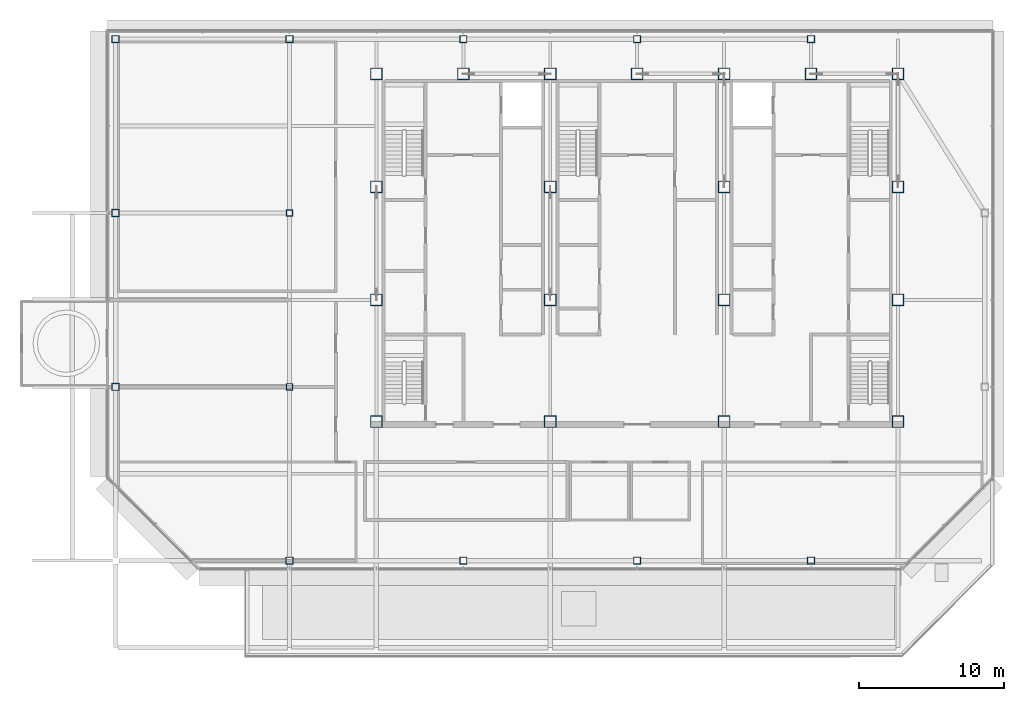
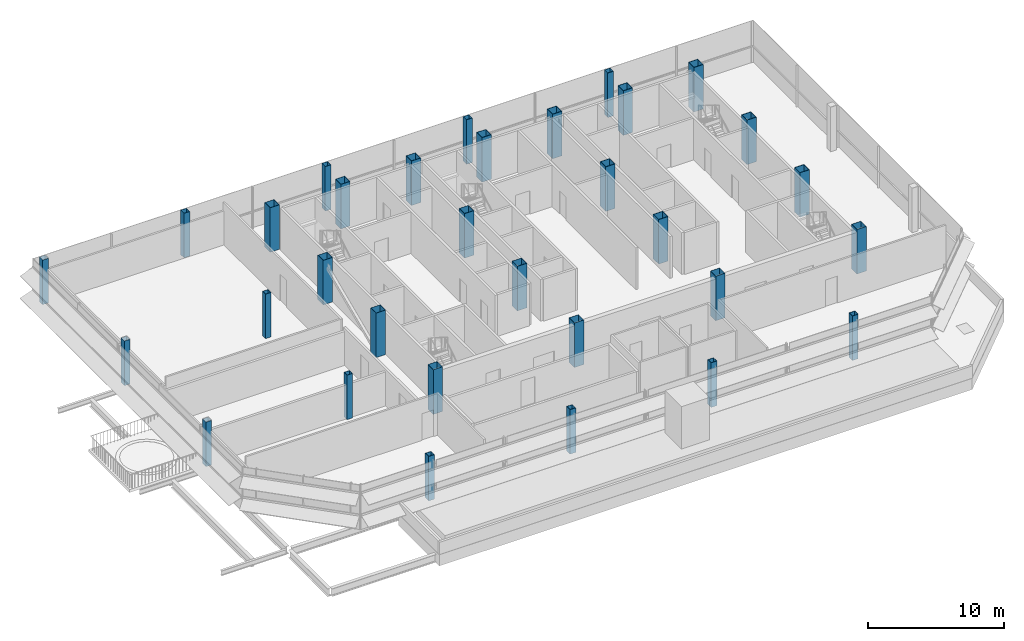
# One storey, part 1 of 26: 32 columns.
"""IFC4 building model written with IfcOpenShell, lengths in metres."""

from ifc_helpers import new_model, si_unit, direction, frame, origin, origin_2d, place, context, subcontext, project, spatial, hollow_rectangle, extrude, material, material_profile, profile_set, type_object, element, save


model = new_model("IFC4")

# Units and contexts
model_context = context("Model", 3, precision=1e-05, world=origin(), true_north=direction((0.0, 1.0)))
body_context = subcontext(model_context, "Body", "Model", "MODEL_VIEW")
ifc_project = project(units=[si_unit("LENGTHUNIT", "METRE"), si_unit("AREAUNIT", "SQUARE_METRE"), si_unit("VOLUMEUNIT", "CUBIC_METRE"), si_unit("PLANEANGLEUNIT", "RADIAN"), si_unit("MASSUNIT", "GRAM", prefix="KILO")], contexts=[model_context])

# Site, building, storey
site_placement = place(None, origin())
site = spatial("IfcSite", under=ifc_project, at=site_placement, CompositionType="ELEMENT")
building_placement = place(site_placement, origin())
building = spatial("IfcBuilding", under=site, at=building_placement, Name="Sorahane Residences", CompositionType="ELEMENT")
storey_placement = place(building_placement, frame((0.0, 0.0, 337.800048828125)))
storey = spatial("IfcBuildingStorey", under=building, at=storey_placement, Name="L80", CompositionType="ELEMENT", Elevation=337.800048828125)

# Columns
ifc_material_1 = material(Name="Steel Q355B", Category="steel")
ifc_material_profile_1 = material_profile(ifc_material_1, hollow_rectangle(XDim=0.449951171875, YDim=0.449951171875, WallThickness=0.02197265625, at=origin_2d()), Name="BOX 450x450x22")
ifc_profile_set_1 = profile_set([ifc_material_profile_1], Name="Steel Q355B")
column_type_1 = type_object("IfcColumnType", Name="Steel box column BOX 450x450x22 Q355B", PredefinedType="COLUMN", material=ifc_profile_set_1)
for number, where, z_axis, x_axis, name in (
    (1, (0.0, 24.0, 0.0), (0.0, 0.0, 1.0), (1.0, 0.0, 0.0), "Column L80 0/24"),
    (2, (0.0, 36.0, 0.0), (0.0, 0.0, 1.0), (1.0, 0.0, 0.0), "Column L80 0/36"),
):
    element("IfcColumn", number, at=place(storey_placement, frame(where, z_axis=z_axis, x_axis=x_axis)), inside=storey, type_object=column_type_1, Name=name, PredefinedType="COLUMN", context=body_context, shape_type="SweptSolid", body=[
        extrude(hollow_rectangle(XDim=0.449951171875, YDim=0.449951171875, WallThickness=0.02197265625, at=origin_2d()), origin(), (0.0, 0.0, 1.0), 4.0),
    ])
ifc_material_2 = material(Name="Steel Q355B", Category="steel")
ifc_material_profile_2 = material_profile(ifc_material_2, hollow_rectangle(XDim=0.5, YDim=0.5, WallThickness=0.02490234375, at=origin_2d()), Name="BOX 500x500x25")
ifc_profile_set_2 = profile_set([ifc_material_profile_2], Name="Steel Q355B")
column_type_2 = type_object("IfcColumnType", Name="Steel box column BOX 500x500x25 Q355B", PredefinedType="COLUMN", material=ifc_profile_set_2)
for number, where, z_axis, x_axis, name in (
    (3, (-12.0, 24.0, 0.0), (0.0, 0.0, 1.0), (1.0, 0.0, 0.0), "Column L80 m12/24"),
    (4, (-12.0, 36.0, 0.0), (0.0, 0.0, 1.0), (1.0, 0.0, 0.0), "Column L80 m12/36"),
    (5, (-12.0, 48.0, 0.0), (0.0, 0.0, 1.0), (1.0, 0.0, 0.0), "Column L80 m12/48"),
    (6, (0.0, 12.0, 0.0), (0.0, 0.0, 1.0), (1.0, 0.0, 0.0), "Column L80 0/12"),
    (7, (0.0, 48.0, 0.0), (0.0, 0.0, 1.0), (1.0, 0.0, 0.0), "Column L80 0/48"),
    (8, (12.0, 12.0, 0.0), (0.0, 0.0, 1.0), (1.0, 0.0, 0.0), "Column L80 12/12"),
    (9, (12.0, 48.0, 0.0), (0.0, 0.0, 1.0), (1.0, 0.0, 0.0), "Column L80 12/48"),
    (10, (24.0, 12.0, 0.0), (0.0, 0.0, 1.0), (1.0, 0.0, 0.0), "Column L80 24/12"),
    (11, (24.0, 48.0, 0.0), (0.0, 0.0, 1.0), (1.0, 0.0, 0.0), "Column L80 24/48"),
    (12, (36.0, 12.0, 0.0), (0.0, 0.0, 1.0), (1.0, 0.0, 0.0), "Column L80 36/12"),
    (13, (36.0, 48.0, 0.0), (0.0, 0.0, 1.0), (1.0, 0.0, 0.0), "Column L80 36/48"),
):
    element("IfcColumn", number, at=place(storey_placement, frame(where, z_axis=z_axis, x_axis=x_axis)), inside=storey, type_object=column_type_2, Name=name, PredefinedType="COLUMN", context=body_context, shape_type="SweptSolid", body=[
        extrude(hollow_rectangle(XDim=0.5, YDim=0.5, WallThickness=0.02490234375, at=origin_2d()), origin(), (0.0, 0.0, 1.0), 4.0),
    ])
ifc_material_3 = material(Name="Steel Q355B", Category="steel")
ifc_material_profile_3 = material_profile(ifc_material_3, hollow_rectangle(XDim=0.800048828125, YDim=0.800048828125, WallThickness=0.02490234375, at=origin_2d()), Name="BOX 800x800x25")
ifc_profile_set_3 = profile_set([ifc_material_profile_3], Name="Steel Q355B")
column_type_3 = type_object("IfcColumnType", Name="Steel box column BOX 800x800x25 Q355B", PredefinedType="COLUMN", material=ifc_profile_set_3)
for number, where, z_axis, x_axis, name in (
    (14, (6.0, 21.60009765625, 0.0), (0.0, 0.0, 1.0), (1.0, 0.0, 0.0), "Column L80 6/21.6"),
    (15, (6.0, 30.0, 0.0), (0.0, 0.0, 1.0), (1.0, 0.0, 0.0), "Column L80 6/30"),
    (16, (6.0, 37.800048828125, 0.0), (0.0, 0.0, 1.0), (1.0, 0.0, 0.0), "Column L80 6/37.8"),
    (17, (6.0, 45.60009765625, 0.0), (0.0, 0.0, 1.0), (1.0, 0.0, 0.0), "Column L80 6/45.6"),
    (18, (12.0, 45.60009765625, 0.0), (0.0, 0.0, 1.0), (1.0, 0.0, 0.0), "Column L80 12/45.6"),
    (19, (18.0, 21.60009765625, 0.0), (0.0, 0.0, 1.0), (1.0, 0.0, 0.0), "Column L80 18/21.6"),
    (20, (18.0, 30.0, 0.0), (0.0, 0.0, 1.0), (1.0, 0.0, 0.0), "Column L80 18/30"),
    (21, (18.0, 37.800048828125, 0.0), (0.0, 0.0, 1.0), (1.0, 0.0, 0.0), "Column L80 18/37.8"),
    (22, (18.0, 45.60009765625, 0.0), (0.0, 0.0, 1.0), (1.0, 0.0, 0.0), "Column L80 18/45.6"),
    (23, (24.0, 45.60009765625, 0.0), (0.0, 0.0, 1.0), (1.0, 0.0, 0.0), "Column L80 24/45.6"),
    (24, (30.0, 21.60009765625, 0.0), (0.0, 0.0, 1.0), (1.0, 0.0, 0.0), "Column L80 30/21.6"),
    (25, (30.0, 30.0, 0.0), (0.0, 0.0, 1.0), (1.0, 0.0, 0.0), "Column L80 30/30"),
    (26, (30.0, 37.800048828125, 0.0), (0.0, 0.0, 1.0), (1.0, 0.0, 0.0), "Column L80 30/37.8"),
    (27, (30.0, 45.60009765625, 0.0), (0.0, 0.0, 1.0), (1.0, 0.0, 0.0), "Column L80 30/45.6"),
    (28, (36.0, 45.60009765625, 0.0), (0.0, 0.0, 1.0), (1.0, 0.0, 0.0), "Column L80 36/45.6"),
    (29, (42.0, 21.60009765625, 0.0), (0.0, 0.0, 1.0), (1.0, 0.0, 0.0), "Column L80 42/21.6"),
    (30, (42.0, 30.0, 0.0), (0.0, 0.0, 1.0), (1.0, 0.0, 0.0), "Column L80 42/30"),
    (31, (42.0, 37.800048828125, 0.0), (0.0, 0.0, 1.0), (1.0, 0.0, 0.0), "Column L80 42/37.8"),
    (32, (42.0, 45.60009765625, 0.0), (0.0, 0.0, 1.0), (1.0, 0.0, 0.0), "Column L80 42/45.6"),
):
    element("IfcColumn", number, at=place(storey_placement, frame(where, z_axis=z_axis, x_axis=x_axis)), inside=storey, type_object=column_type_3, Name=name, PredefinedType="COLUMN", context=body_context, shape_type="SweptSolid", body=[
        extrude(hollow_rectangle(XDim=0.800048828125, YDim=0.800048828125, WallThickness=0.02490234375, at=origin_2d()), origin(), (0.0, 0.0, 1.0), 4.0),
    ])

save(model, "model.ifc")
